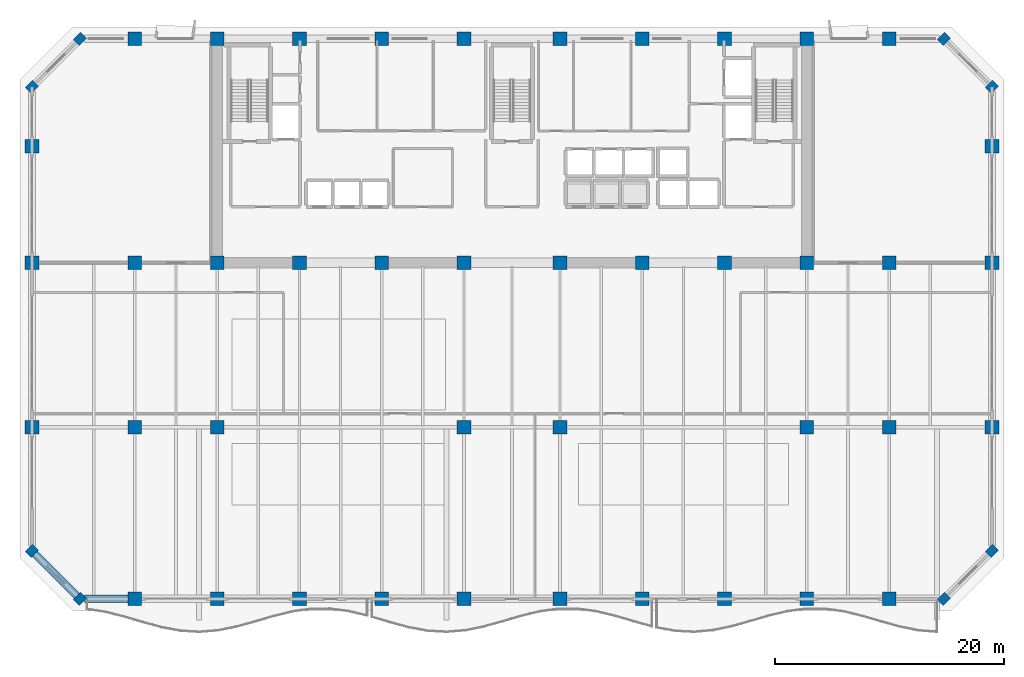
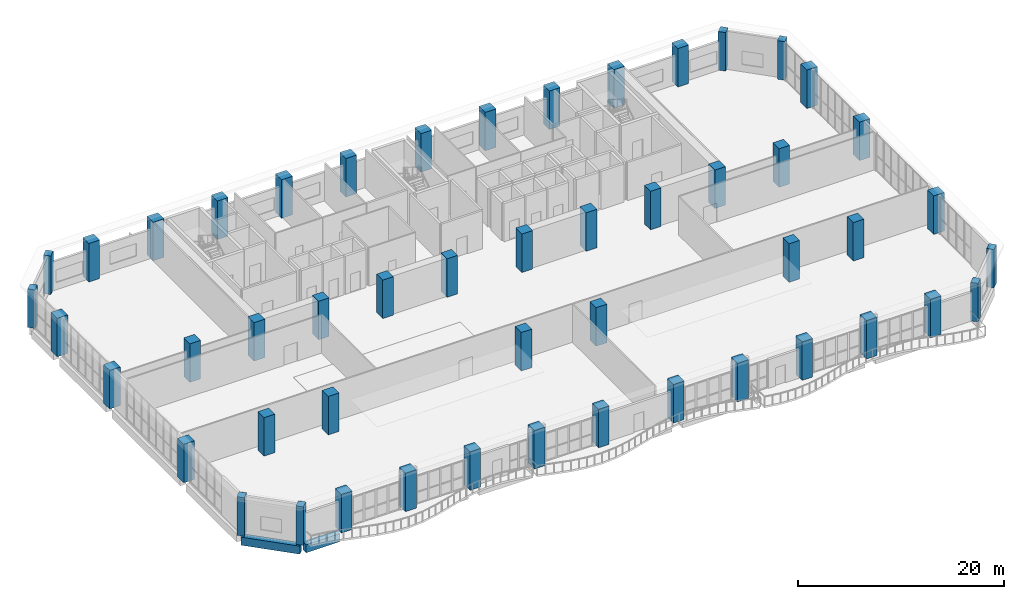
# One storey, part 1 of 37: 50 columns, 2 beams.
"""IFC4 building model written with IfcOpenShell, lengths in metres."""

from ifc_helpers import new_model, si_unit, direction, frame, origin, origin_2d, place, context, subcontext, project, spatial, rectangle, extrude, material, material_profile, profile_set, type_object, element, save


model = new_model("IFC4")

# Units and contexts
model_context = context("Model", 3, precision=1e-05, world=origin(), true_north=direction((0.0, 1.0)))
body_context = subcontext(model_context, "Body", "Model", "MODEL_VIEW")
ifc_project = project(units=[si_unit("LENGTHUNIT", "METRE"), si_unit("AREAUNIT", "SQUARE_METRE"), si_unit("VOLUMEUNIT", "CUBIC_METRE"), si_unit("PLANEANGLEUNIT", "RADIAN"), si_unit("MASSUNIT", "GRAM", prefix="KILO")], contexts=[model_context])

# Site, building, storey
site_placement = place(None, origin())
site = spatial("IfcSite", under=ifc_project, at=site_placement, CompositionType="ELEMENT")
building_placement = place(site_placement, origin())
building = spatial("IfcBuilding", under=site, at=building_placement, Name="Kaelvorn Grand Hotel", CompositionType="ELEMENT")
storey_placement = place(building_placement, frame((0.0, 0.0, 130.550048828125)))
storey = spatial("IfcBuildingStorey", under=building, at=storey_placement, Name="L31", CompositionType="ELEMENT", Elevation=130.550048828125)

# Columns
ifc_material = material(Name="Concrete C60/75", Category="concrete")
ifc_material_profile_1 = material_profile(ifc_material, rectangle(XDim=0.89990234375, YDim=0.75, at=origin_2d()), Name="RC PILASTER 900x750")
ifc_profile_set_1 = profile_set([ifc_material_profile_1], Name="Concrete C60/75")
column_type_1 = type_object("IfcColumnType", Name="COL-PIL-900x750-C60", PredefinedType="PILASTER", material=ifc_profile_set_1)
for number, where, z_axis, x_axis, name in (
    (1, (4.199951171875, 0.0, 0.0), (0.0, 0.0, 1.0), (0.707106781187, 0.707106781187, 0.0), "L31 Structural Column CH-01"),
    (2, (79.800048828125, 0.0, 0.0), (0.0, 0.0, 1.0), (0.707106781187, 0.707106781187, 0.0), "L31 Structural Column CH-02"),
    (3, (84.0, 4.199951171875, 0.0), (0.0, 0.0, 1.0), (0.707106781187, 0.707106781187, 0.0), "L31 Structural Column CH-03"),
    (4, (84.0, 44.800048828125, 0.0), (0.0, 0.0, 1.0), (0.707106781187, 0.707106781187, 0.0), "L31 Structural Column CH-04"),
    (5, (79.800048828125, 49.0, 0.0), (0.0, 0.0, 1.0), (0.707106781187, 0.707106781187, 0.0), "L31 Structural Column CH-05"),
    (6, (4.199951171875, 49.0, 0.0), (0.0, 0.0, 1.0), (0.707106781187, 0.707106781187, 0.0), "L31 Structural Column CH-06"),
    (7, (0.0, 44.800048828125, 0.0), (0.0, 0.0, 1.0), (0.707106781187, 0.707106781187, 0.0), "L31 Structural Column CH-07"),
    (8, (0.0, 4.199951171875, 0.0), (0.0, 0.0, 1.0), (0.707106781187, 0.707106781187, 0.0), "L31 Structural Column CH-08"),
):
    element("IfcColumn", number, at=place(storey_placement, frame(where, z_axis=z_axis, x_axis=x_axis)), inside=storey, type_object=column_type_1, Name=name, PredefinedType="PILASTER", context=body_context, shape_type="SweptSolid", body=[
        extrude(rectangle(XDim=0.89990234375, YDim=0.75, at=origin_2d()), origin(), (0.0, 0.0, 1.0), 4.56005859375),
    ])
ifc_material_profile_2 = material_profile(ifc_material, rectangle(XDim=1.199951171875, YDim=1.199951171875, at=origin_2d()), Name="RC COL 1200x1200")
ifc_profile_set_2 = profile_set([ifc_material_profile_2], Name="Concrete C60/75")
column_type_2 = type_object("IfcColumnType", Name="COL-RC-1200-C60", PredefinedType="COLUMN", material=ifc_profile_set_2)
for number, where, z_axis, x_axis, name in (
    (9, (9.0, 0.0, 0.0), (0.0, 0.0, 1.0), (1.0, 0.0, 0.0), "L31 Structural Column S-01"),
    (10, (16.199951171875, 0.0, 0.0), (0.0, 0.0, 1.0), (1.0, 0.0, 0.0), "L31 Structural Column S-02"),
    (11, (23.39990234375, 0.0, 0.0), (0.0, 0.0, 1.0), (1.0, 0.0, 0.0), "L31 Structural Column S-03"),
    (12, (30.60009765625, 0.0, 0.0), (0.0, 0.0, 1.0), (1.0, 0.0, 0.0), "L31 Structural Column S-04"),
    (13, (37.800048828125, 0.0, 0.0), (0.0, 0.0, 1.0), (1.0, 0.0, 0.0), "L31 Structural Column S-05"),
    (14, (46.199951171875, 0.0, 0.0), (0.0, 0.0, 1.0), (1.0, 0.0, 0.0), "L31 Structural Column S-06"),
    (15, (53.39990234375, 0.0, 0.0), (0.0, 0.0, 1.0), (1.0, 0.0, 0.0), "L31 Structural Column S-07"),
    (16, (60.60009765625, 0.0, 0.0), (0.0, 0.0, 1.0), (1.0, 0.0, 0.0), "L31 Structural Column S-08"),
    (17, (67.800048828125, 0.0, 0.0), (0.0, 0.0, 1.0), (1.0, 0.0, 0.0), "L31 Structural Column S-09"),
    (18, (75.0, 0.0, 0.0), (0.0, 0.0, 1.0), (1.0, 0.0, 0.0), "L31 Structural Column S-10"),
    (19, (0.0, 15.0, 0.0), (0.0, 0.0, 1.0), (1.0, 0.0, 0.0), "L31 Structural Column W-01"),
    (20, (84.0, 15.0, 0.0), (0.0, 0.0, 1.0), (1.0, 0.0, 0.0), "L31 Structural Column E-01"),
    (21, (0.0, 29.39990234375, 0.0), (0.0, 0.0, 1.0), (1.0, 0.0, 0.0), "L31 Structural Column W-02"),
    (22, (84.0, 29.39990234375, 0.0), (0.0, 0.0, 1.0), (1.0, 0.0, 0.0), "L31 Structural Column E-02"),
    (23, (0.0, 39.60009765625, 0.0), (0.0, 0.0, 1.0), (1.0, 0.0, 0.0), "L31 Structural Column W-03"),
    (24, (84.0, 39.60009765625, 0.0), (0.0, 0.0, 1.0), (1.0, 0.0, 0.0), "L31 Structural Column E-03"),
    (25, (9.0, 15.0, 0.0), (0.0, 0.0, 1.0), (1.0, 0.0, 0.0), "L31 Structural Column M-01"),
    (26, (16.199951171875, 15.0, 0.0), (0.0, 0.0, 1.0), (1.0, 0.0, 0.0), "L31 Structural Column M-02"),
    (27, (37.800048828125, 15.0, 0.0), (0.0, 0.0, 1.0), (1.0, 0.0, 0.0), "L31 Structural Column M-03"),
    (28, (46.199951171875, 15.0, 0.0), (0.0, 0.0, 1.0), (1.0, 0.0, 0.0), "L31 Structural Column M-04"),
    (29, (67.800048828125, 15.0, 0.0), (0.0, 0.0, 1.0), (1.0, 0.0, 0.0), "L31 Structural Column M-05"),
    (30, (75.0, 15.0, 0.0), (0.0, 0.0, 1.0), (1.0, 0.0, 0.0), "L31 Structural Column M-06"),
    (31, (9.0, 29.39990234375, 0.0), (0.0, 0.0, 1.0), (1.0, 0.0, 0.0), "L31 Structural Column CR1-01"),
    (32, (9.0, 49.0, 0.0), (0.0, 0.0, 1.0), (1.0, 0.0, 0.0), "L31 Structural Column CR2-01"),
    (33, (16.199951171875, 29.39990234375, 0.0), (0.0, 0.0, 1.0), (1.0, 0.0, 0.0), "L31 Structural Column CR1-02"),
    (34, (16.199951171875, 49.0, 0.0), (0.0, 0.0, 1.0), (1.0, 0.0, 0.0), "L31 Structural Column CR2-02"),
    (35, (23.39990234375, 29.39990234375, 0.0), (0.0, 0.0, 1.0), (1.0, 0.0, 0.0), "L31 Structural Column CR1-03"),
    (36, (23.39990234375, 49.0, 0.0), (0.0, 0.0, 1.0), (1.0, 0.0, 0.0), "L31 Structural Column CR2-03"),
    (37, (30.60009765625, 29.39990234375, 0.0), (0.0, 0.0, 1.0), (1.0, 0.0, 0.0), "L31 Structural Column CR1-04"),
    (38, (30.60009765625, 49.0, 0.0), (0.0, 0.0, 1.0), (1.0, 0.0, 0.0), "L31 Structural Column CR2-04"),
    (39, (37.800048828125, 29.39990234375, 0.0), (0.0, 0.0, 1.0), (1.0, 0.0, 0.0), "L31 Structural Column CR1-05"),
    (40, (37.800048828125, 49.0, 0.0), (0.0, 0.0, 1.0), (1.0, 0.0, 0.0), "L31 Structural Column CR2-05"),
    (41, (46.199951171875, 29.39990234375, 0.0), (0.0, 0.0, 1.0), (1.0, 0.0, 0.0), "L31 Structural Column CR1-06"),
    (42, (46.199951171875, 49.0, 0.0), (0.0, 0.0, 1.0), (1.0, 0.0, 0.0), "L31 Structural Column CR2-06"),
    (43, (53.39990234375, 29.39990234375, 0.0), (0.0, 0.0, 1.0), (1.0, 0.0, 0.0), "L31 Structural Column CR1-07"),
    (44, (53.39990234375, 49.0, 0.0), (0.0, 0.0, 1.0), (1.0, 0.0, 0.0), "L31 Structural Column CR2-07"),
    (45, (60.60009765625, 29.39990234375, 0.0), (0.0, 0.0, 1.0), (1.0, 0.0, 0.0), "L31 Structural Column CR1-08"),
    (46, (60.60009765625, 49.0, 0.0), (0.0, 0.0, 1.0), (1.0, 0.0, 0.0), "L31 Structural Column CR2-08"),
    (47, (67.800048828125, 29.39990234375, 0.0), (0.0, 0.0, 1.0), (1.0, 0.0, 0.0), "L31 Structural Column CR1-09"),
    (48, (67.800048828125, 49.0, 0.0), (0.0, 0.0, 1.0), (1.0, 0.0, 0.0), "L31 Structural Column CR2-09"),
    (49, (75.0, 29.39990234375, 0.0), (0.0, 0.0, 1.0), (1.0, 0.0, 0.0), "L31 Structural Column CR1-10"),
    (50, (75.0, 49.0, 0.0), (0.0, 0.0, 1.0), (1.0, 0.0, 0.0), "L31 Structural Column CR2-10"),
):
    element("IfcColumn", number, at=place(storey_placement, frame(where, z_axis=z_axis, x_axis=x_axis)), inside=storey, type_object=column_type_2, Name=name, PredefinedType="COLUMN", context=body_context, shape_type="SweptSolid", body=[
        extrude(rectangle(XDim=1.199951171875, YDim=1.199951171875, at=origin_2d()), origin(), (0.0, 0.0, 1.0), 4.56005859375),
    ])

# Beams
ifc_material_profile_3 = material_profile(ifc_material, rectangle(XDim=0.64990234375, YDim=0.949951171875, at=origin_2d()), Name="RC SPANDREL 650x950")
ifc_profile_set_3 = profile_set([ifc_material_profile_3], Name="Concrete C60/75")
beam_type = type_object("IfcBeamType", Name="BM-SP-650x950-C60", PredefinedType="SPANDREL", material=ifc_profile_set_3)
beam_1_placement = place(storey_placement, frame((4.60498046875, 0.0, -0.715087890625), z_axis=(1.0, 0.0, 0.0), x_axis=(0.0, 1.0, 0.0)))
element("IfcBeam", 51, at=beam_1_placement, inside=storey, type_object=beam_type, Name="L31 South Perimeter Spandrel 01", PredefinedType="SPANDREL", context=body_context, shape_type="SweptSolid", body=[
    extrude(rectangle(XDim=0.64990234375, YDim=0.949951171875, at=origin_2d()), origin(), (0.0, 0.0, 1.0), 3.81005859375),
])
beam_2_placement = place(storey_placement, frame((0.0, 4.199951171875, -0.715087890625), z_axis=(0.707106781187, -0.707106781187, 0.0), x_axis=(0.707106781187, 0.707106781187, 0.0)))
element("IfcBeam", 52, at=beam_2_placement, inside=storey, type_object=beam_type, Name="L31 Chamfer Spandrel Beam 4", PredefinedType="SPANDREL", context=body_context, shape_type="SweptSolid", body=[
    extrude(rectangle(XDim=0.64990234375, YDim=0.949951171875, at=origin_2d()), origin(), (0.0, 0.0, 1.0), 5.939697265625),
])

save(model, "model.ifc")
